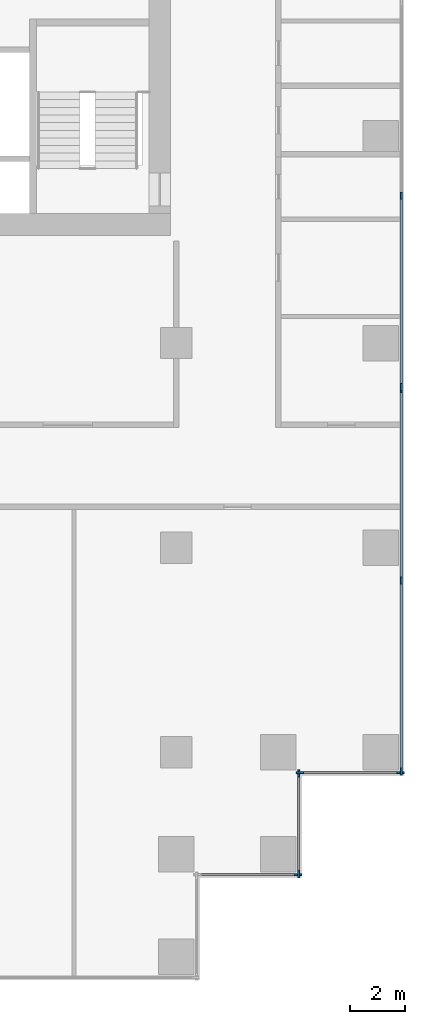
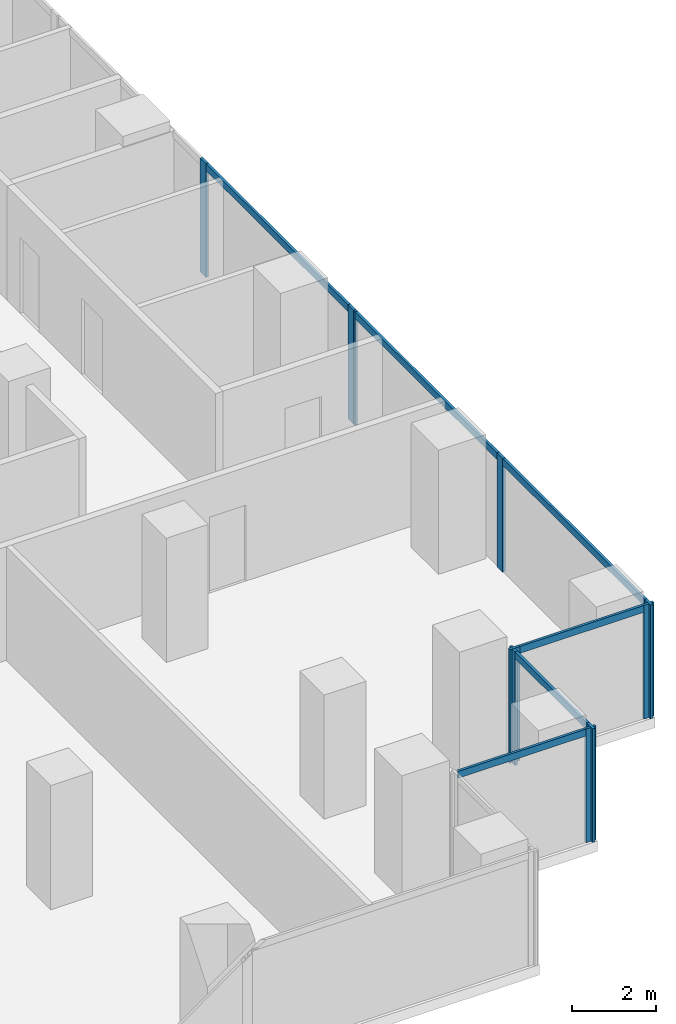
# One storey, part 3 of 10: 16 members, 5 elements without a shape of their own.
"""IFC4 building model written with IfcOpenShell, lengths in metres."""

from ifc_helpers import new_model, si_unit, direction, frame, origin, origin_2d, place, context, subcontext, project, spatial, rectangle, extrude, material, material_profile, profile_set, type_object, element, aggregate, save


model = new_model("IFC4")

# Units and contexts
model_context = context("Model", 3, precision=1e-05, world=origin(), true_north=direction((0.0, 1.0)))
body_context = subcontext(model_context, "Body", "Model", "MODEL_VIEW")
ifc_project = project(units=[si_unit("LENGTHUNIT", "METRE"), si_unit("AREAUNIT", "SQUARE_METRE"), si_unit("VOLUMEUNIT", "CUBIC_METRE"), si_unit("PLANEANGLEUNIT", "RADIAN"), si_unit("MASSUNIT", "GRAM", prefix="KILO")], contexts=[model_context])

# Site, building, storey
site_placement = place(None, origin())
site = spatial("IfcSite", under=ifc_project, at=site_placement, CompositionType="ELEMENT")
building_placement = place(site_placement, origin())
building = spatial("IfcBuilding", under=site, at=building_placement, Name="Pilkhan Gate Tower", CompositionType="ELEMENT")
storey_placement = place(building_placement, frame((0.0, 0.0, 136.0)))
storey = spatial("IfcBuildingStorey", under=building, at=storey_placement, Name="L34", CompositionType="ELEMENT", Elevation=136.0)

# Curtain wall, members
ifc_material_1 = material(Name="Pale anodised aluminium, clear low-iron double glazing", Category="aluminium")
curtain_wall_type = type_object("IfcCurtainWallType", Name="Office unitised curtain wall CW-O1", PredefinedType="USERDEFINED", material=ifc_material_1)
curtain_wall_1_placement = place(storey_placement, origin())
curtain_wall_1 = element("IfcCurtainWall", 1, at=curtain_wall_1_placement, inside=storey, type_object=curtain_wall_type, Name="Office unitised curtain wall CW-O1 L34 E", ObjectType="UNITISED CURTAIN WALL", PredefinedType="USERDEFINED")
ifc_material_2 = material(Name="Pale anodised aluminium", Category="aluminium")
ifc_material_profile_1 = material_profile(ifc_material_2, rectangle(XDim=0.070068359375, YDim=0.27490234375, at=origin_2d()), Name="Mullion 275x70")
ifc_profile_set_1 = profile_set([ifc_material_profile_1], Name="Pale anodised aluminium")
member_type_1 = type_object("IfcMemberType", Name="Mullion CW-O1 275x70", PredefinedType="MULLION", material=ifc_profile_set_1)
member_1_placement = place(storey_placement, frame((98.25, 51.784912109375, 0.0), z_axis=(0.0, 0.0, 1.0), x_axis=(-1.0, 0.0, 0.0)))
member_1 = element("IfcMember", 2, at=member_1_placement, type_object=member_type_1, Name="CW-O1 mullion 1", PredefinedType="MULLION", context=body_context, shape_type="SweptSolid", body=[
    extrude(rectangle(XDim=0.070068359375, YDim=0.27490234375, at=origin_2d()), origin(), (0.0, 0.0, 1.0), 3.300048828125),
])
member_2_placement = place(storey_placement, frame((98.25, 58.800048828125, 0.0), z_axis=(0.0, 0.0, 1.0), x_axis=(-1.0, 0.0, 0.0)))
member_2 = element("IfcMember", 3, at=member_2_placement, type_object=member_type_1, Name="CW-O1 mullion 2", PredefinedType="MULLION", context=body_context, shape_type="SweptSolid", body=[
    extrude(rectangle(XDim=0.070068359375, YDim=0.27490234375, at=origin_2d()), origin(), (0.0, 0.0, 1.0), 3.300048828125),
])
member_3_placement = place(storey_placement, frame((98.25, 65.81494140625, 0.0), z_axis=(0.0, 0.0, 1.0), x_axis=(-1.0, 0.0, 0.0)))
member_3 = element("IfcMember", 4, at=member_3_placement, type_object=member_type_1, Name="CW-O1 mullion 3", PredefinedType="MULLION", context=body_context, shape_type="SweptSolid", body=[
    extrude(rectangle(XDim=0.070068359375, YDim=0.27490234375, at=origin_2d()), origin(), (0.0, 0.0, 1.0), 3.300048828125),
])

curtain_wall_2_placement = place(storey_placement, origin())
curtain_wall_2 = element("IfcCurtainWall", 5, at=curtain_wall_2_placement, inside=storey, type_object=curtain_wall_type, Name="Office unitised curtain wall CW-O1 L34 E", ObjectType="UNITISED CURTAIN WALL", PredefinedType="USERDEFINED")
member_4_placement = place(storey_placement, frame((98.25, 65.885009765625, 0.0), z_axis=(0.0, 0.0, 1.0), x_axis=(-1.0, 0.0, 0.0)))
member_4 = element("IfcMember", 6, at=member_4_placement, type_object=member_type_1, Name="CW-O1 mullion 1", PredefinedType="MULLION", context=body_context, shape_type="SweptSolid", body=[
    extrude(rectangle(XDim=0.070068359375, YDim=0.27490234375, at=origin_2d()), origin(), (0.0, 0.0, 1.0), 3.300048828125),
])
member_5_placement = place(storey_placement, frame((98.25, 72.89990234375, 0.0), z_axis=(0.0, 0.0, 1.0), x_axis=(-1.0, 0.0, 0.0)))
member_5 = element("IfcMember", 7, at=member_5_placement, type_object=member_type_1, Name="CW-O1 mullion 2", PredefinedType="MULLION", context=body_context, shape_type="SweptSolid", body=[
    extrude(rectangle(XDim=0.070068359375, YDim=0.27490234375, at=origin_2d()), origin(), (0.0, 0.0, 1.0), 3.300048828125),
])

# Curtain wall, member
curtain_wall_3_placement = place(storey_placement, origin())
curtain_wall_3 = element("IfcCurtainWall", 8, at=curtain_wall_3_placement, inside=storey, type_object=curtain_wall_type, Name="Office unitised curtain wall CW-O1 L34 S", ObjectType="UNITISED CURTAIN WALL", PredefinedType="USERDEFINED")
member_6_placement = place(storey_placement, frame((94.465087890625, 48.0, 0.0), z_axis=(0.0, 0.0, 1.0), x_axis=(0.0, 1.0, 0.0)))
member_6 = element("IfcMember", 9, at=member_6_placement, type_object=member_type_1, Name="CW-O1 mullion 2", PredefinedType="MULLION", context=body_context, shape_type="SweptSolid", body=[
    extrude(rectangle(XDim=0.070068359375, YDim=0.27490234375, at=origin_2d()), origin(), (0.0, 0.0, 1.0), 3.300048828125),
])

# Curtain wall, members
curtain_wall_4_placement = place(storey_placement, origin())
curtain_wall_4 = element("IfcCurtainWall", 10, at=curtain_wall_4_placement, inside=storey, type_object=curtain_wall_type, Name="Office unitised curtain wall CW-O1 L34 E", ObjectType="UNITISED CURTAIN WALL", PredefinedType="USERDEFINED")
member_7_placement = place(storey_placement, frame((94.5, 48.034912109375, 0.0), z_axis=(0.0, 0.0, 1.0), x_axis=(-1.0, 0.0, 0.0)))
member_7 = element("IfcMember", 11, at=member_7_placement, type_object=member_type_1, Name="CW-O1 mullion 1", PredefinedType="MULLION", context=body_context, shape_type="SweptSolid", body=[
    extrude(rectangle(XDim=0.070068359375, YDim=0.27490234375, at=origin_2d()), origin(), (0.0, 0.0, 1.0), 3.300048828125),
])
member_8_placement = place(storey_placement, frame((94.5, 51.715087890625, 0.0), z_axis=(0.0, 0.0, 1.0), x_axis=(-1.0, 0.0, 0.0)))
member_8 = element("IfcMember", 12, at=member_8_placement, type_object=member_type_1, Name="CW-O1 mullion 2", PredefinedType="MULLION", context=body_context, shape_type="SweptSolid", body=[
    extrude(rectangle(XDim=0.070068359375, YDim=0.27490234375, at=origin_2d()), origin(), (0.0, 0.0, 1.0), 3.300048828125),
])

curtain_wall_5_placement = place(storey_placement, origin())
curtain_wall_5 = element("IfcCurtainWall", 13, at=curtain_wall_5_placement, inside=storey, type_object=curtain_wall_type, Name="Office unitised curtain wall CW-O1 L34 S", ObjectType="UNITISED CURTAIN WALL", PredefinedType="USERDEFINED")
member_9_placement = place(storey_placement, frame((94.534912109375, 51.75, 0.0), z_axis=(0.0, 0.0, 1.0), x_axis=(0.0, 1.0, 0.0)))
member_9 = element("IfcMember", 14, at=member_9_placement, type_object=member_type_1, Name="CW-O1 mullion 1", PredefinedType="MULLION", context=body_context, shape_type="SweptSolid", body=[
    extrude(rectangle(XDim=0.070068359375, YDim=0.27490234375, at=origin_2d()), origin(), (0.0, 0.0, 1.0), 3.300048828125),
])
member_10_placement = place(storey_placement, frame((98.215087890625, 51.75, 0.0), z_axis=(0.0, 0.0, 1.0), x_axis=(0.0, 1.0, 0.0)))
member_10 = element("IfcMember", 15, at=member_10_placement, type_object=member_type_1, Name="CW-O1 mullion 2", PredefinedType="MULLION", context=body_context, shape_type="SweptSolid", body=[
    extrude(rectangle(XDim=0.070068359375, YDim=0.27490234375, at=origin_2d()), origin(), (0.0, 0.0, 1.0), 3.300048828125),
])

# Member
ifc_material_profile_2 = material_profile(ifc_material_2, rectangle(XDim=0.070068359375, YDim=0.199951171875, at=origin_2d()), Name="Transom 200x70")
ifc_profile_set_2 = profile_set([ifc_material_profile_2], Name="Pale anodised aluminium")
member_type_2 = type_object("IfcMemberType", Name="Transom CW-O1 200x70", PredefinedType="USERDEFINED", material=ifc_profile_set_2)
member_11_placement = place(storey_placement, frame((98.25, 51.820068359375, 3.199951171875), z_axis=(0.0, 1.0, 0.0), x_axis=(-1.0, 0.0, 0.0)))
member_11 = element("IfcMember", 16, at=member_11_placement, type_object=member_type_2, Name="CW-O1 transom 1", ObjectType="TRANSOM", PredefinedType="USERDEFINED", context=body_context, shape_type="SweptSolid", body=[
    extrude(rectangle(XDim=0.070068359375, YDim=0.199951171875, at=origin_2d()), origin(), (0.0, 0.0, 1.0), 6.94482421875),
])

member_12_placement = place(storey_placement, frame((98.25, 58.8349609375, 3.199951171875), z_axis=(0.0, 1.0, 0.0), x_axis=(-1.0, 0.0, 0.0)))
member_12 = element("IfcMember", 17, at=member_12_placement, type_object=member_type_2, Name="CW-O1 transom 2", ObjectType="TRANSOM", PredefinedType="USERDEFINED", context=body_context, shape_type="SweptSolid", body=[
    extrude(rectangle(XDim=0.070068359375, YDim=0.199951171875, at=origin_2d()), origin(), (0.0, 0.0, 1.0), 6.945068359375),
])

aggregate(curtain_wall_1, [member_1, member_2, member_3, member_11, member_12])

member_13_placement = place(storey_placement, frame((98.25, 65.919921875, 3.199951171875), z_axis=(0.0, 1.0, 0.0), x_axis=(-1.0, 0.0, 0.0)))
member_13 = element("IfcMember", 18, at=member_13_placement, type_object=member_type_2, Name="CW-O1 transom 1", ObjectType="TRANSOM", PredefinedType="USERDEFINED", context=body_context, shape_type="SweptSolid", body=[
    extrude(rectangle(XDim=0.070068359375, YDim=0.199951171875, at=origin_2d()), origin(), (0.0, 0.0, 1.0), 6.945068359375),
])

aggregate(curtain_wall_2, [member_4, member_5, member_13])

member_14_placement = place(storey_placement, frame((90.820068359375, 48.0, 3.199951171875), z_axis=(1.0, 0.0, 0.0), x_axis=(0.0, 1.0, 0.0)))
member_14 = element("IfcMember", 19, at=member_14_placement, type_object=member_type_2, Name="CW-O1 transom 1", ObjectType="TRANSOM", PredefinedType="USERDEFINED", context=body_context, shape_type="SweptSolid", body=[
    extrude(rectangle(XDim=0.070068359375, YDim=0.199951171875, at=origin_2d()), origin(), (0.0, 0.0, 1.0), 3.60986328125),
])

aggregate(curtain_wall_3, [member_6, member_14])

member_15_placement = place(storey_placement, frame((94.5, 48.070068359375, 3.199951171875), z_axis=(0.0, 1.0, 0.0), x_axis=(-1.0, 0.0, 0.0)))
member_15 = element("IfcMember", 20, at=member_15_placement, type_object=member_type_2, Name="CW-O1 transom 1", ObjectType="TRANSOM", PredefinedType="USERDEFINED", context=body_context, shape_type="SweptSolid", body=[
    extrude(rectangle(XDim=0.070068359375, YDim=0.199951171875, at=origin_2d()), origin(), (0.0, 0.0, 1.0), 3.60986328125),
])

aggregate(curtain_wall_4, [member_7, member_8, member_15])

member_16_placement = place(storey_placement, frame((94.570068359375, 51.75, 3.199951171875), z_axis=(1.0, 0.0, 0.0), x_axis=(0.0, 1.0, 0.0)))
member_16 = element("IfcMember", 21, at=member_16_placement, type_object=member_type_2, Name="CW-O1 transom 1", ObjectType="TRANSOM", PredefinedType="USERDEFINED", context=body_context, shape_type="SweptSolid", body=[
    extrude(rectangle(XDim=0.070068359375, YDim=0.199951171875, at=origin_2d()), origin(), (0.0, 0.0, 1.0), 3.60986328125),
])

aggregate(curtain_wall_5, [member_9, member_10, member_16])

save(model, "model.ifc")
